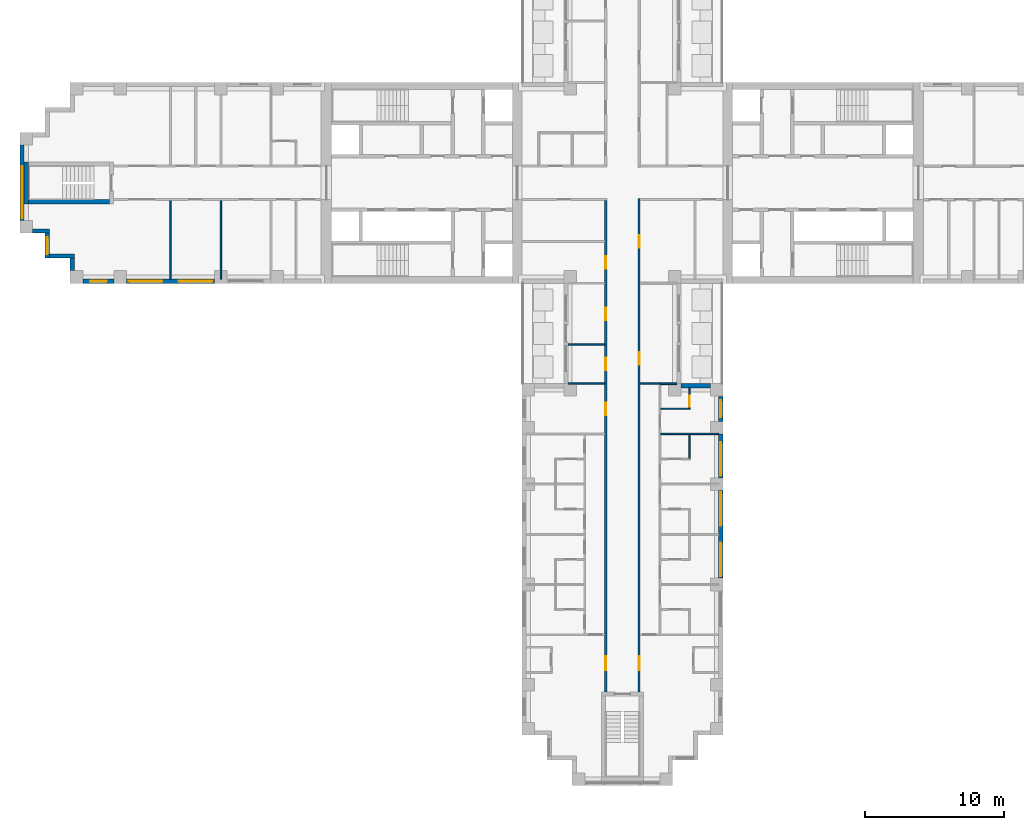
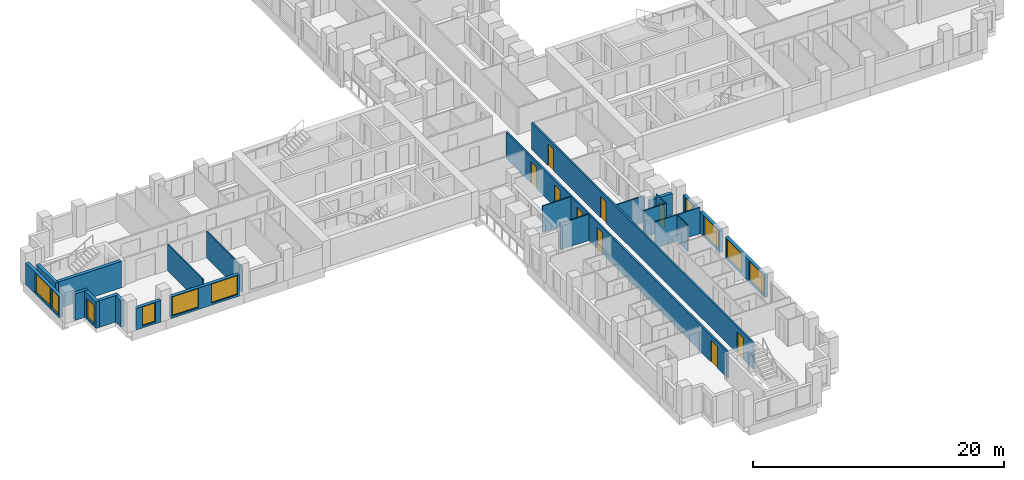
# One storey, part 5 of 16: 25 walls, 10 windows, 9 doors, 19 openings.
"""IFC4 building model written with IfcOpenShell, lengths in metres."""

from ifc_helpers import new_model, si_unit, direction, frame, frame_2d, origin, place, context, subcontext, project, spatial, rectangle, extrude, material, layer, layer_set, type_object, element, fill, save


model = new_model("IFC4")

# Units and contexts
model_context = context("Model", 3, precision=1e-05, world=origin(), true_north=direction((0.0, 1.0)))
body_context = subcontext(model_context, "Body", "Model", "MODEL_VIEW")
ifc_project = project(units=[si_unit("LENGTHUNIT", "METRE"), si_unit("AREAUNIT", "SQUARE_METRE"), si_unit("VOLUMEUNIT", "CUBIC_METRE"), si_unit("PLANEANGLEUNIT", "RADIAN"), si_unit("MASSUNIT", "GRAM", prefix="KILO")], contexts=[model_context])

# Site, building, storey
site_placement = place(None, origin())
site = spatial("IfcSite", under=ifc_project, at=site_placement, CompositionType="ELEMENT")
building_placement = place(site_placement, origin())
building = spatial("IfcBuilding", under=site, at=building_placement, Name="Fustian Cross Tower", CompositionType="ELEMENT")
storey_placement = place(building_placement, frame((0.0, 0.0, 23.699951171875)))
storey = spatial("IfcBuildingStorey", under=building, at=storey_placement, Name="L06", CompositionType="ELEMENT", Elevation=23.699951171875)

# Wall, openings, doors
ifc_material_1 = material(Name="Plasterboard on steel stud", Category="steel")
ifc_layer_1 = layer(ifc_material_1, 0.14990234375)
ifc_layer_set_1 = layer_set([ifc_layer_1], Name="Plasterboard on steel stud")
wall_type_1 = type_object("IfcWallType", Name="COMPARTMENT WALL 150 EI 60", PredefinedType="PARTITIONING", material=ifc_layer_set_1)
wall_1_placement = place(storey_placement, frame((-1.199951171875, -36.5, 0.0), z_axis=(0.0, 0.0, 1.0), x_axis=(0.0, 1.0, 0.0)))
wall_1 = element("IfcWall", 1, at=wall_1_placement, inside=storey, type_object=wall_type_1, Name="Partition 51", PredefinedType="PARTITIONING", context=body_context, shape_type="SweptSolid", body=[
    extrude(rectangle(XDim=35.22509765625, YDim=0.14990234375, at=frame_2d((17.612548828125, 0.0))), origin(), (0.0, 0.0, 1.0), 2.574951171875),
])
opening_1_placement = place(wall_1_placement, frame((30.35009765625, 0.0, 0.0)))
opening_1 = element("IfcOpeningElement", 2, at=opening_1_placement, cuts=wall_1, Name="Opening D05009", PredefinedType="OPENING", context=body_context, shape_type="SweptSolid", body=[
    extrude(rectangle(XDim=0.89990234375, YDim=2.10009765625, at=frame_2d((0.449951171875, 1.050048828125))), frame((0.0, 0.0849609375, 0.0), z_axis=(0.0, -1.0, 0.0), x_axis=(1.0, 0.0, 0.0)), (0.0, 0.0, 1.0), 0.169921875),
])
opening_2_placement = place(wall_1_placement, frame((23.050048828125, 0.0, 0.0)))
opening_2 = element("IfcOpeningElement", 3, at=opening_2_placement, cuts=wall_1, Name="Opening D05064", PredefinedType="OPENING", context=body_context, shape_type="SweptSolid", body=[
    extrude(rectangle(XDim=0.89990234375, YDim=2.10009765625, at=frame_2d((0.449951171875, 1.050048828125))), frame((0.0, 0.0849609375, 0.0), z_axis=(0.0, -1.0, 0.0), x_axis=(1.0, 0.0, 0.0)), (0.0, 0.0, 1.0), 0.169921875),
])
opening_3_placement = place(wall_1_placement, frame((26.64990234375, 0.0, 0.0)))
opening_3 = element("IfcOpeningElement", 4, at=opening_3_placement, cuts=wall_1, Name="Opening D05065", PredefinedType="OPENING", context=body_context, shape_type="SweptSolid", body=[
    extrude(rectangle(XDim=0.89990234375, YDim=2.10009765625, at=frame_2d((0.449951171875, 1.050048828125))), frame((0.0, 0.0849609375, 0.0), z_axis=(0.0, -1.0, 0.0), x_axis=(1.0, 0.0, 0.0)), (0.0, 0.0, 1.0), 0.169921875),
])
opening_4_placement = place(wall_1_placement, frame((19.85009765625, 0.0, 0.0)))
opening_4 = element("IfcOpeningElement", 5, at=opening_4_placement, cuts=wall_1, Name="Opening D05066", PredefinedType="OPENING", context=body_context, shape_type="SweptSolid", body=[
    extrude(rectangle(XDim=0.89990234375, YDim=2.10009765625, at=frame_2d((0.449951171875, 1.050048828125))), frame((0.0, 0.0849609375, 0.0), z_axis=(0.0, -1.0, 0.0), x_axis=(1.0, 0.0, 0.0)), (0.0, 0.0, 1.0), 0.169921875),
])
opening_5_placement = place(wall_1_placement, frame((1.550048828125, 0.0, 0.0)))
opening_5 = element("IfcOpeningElement", 6, at=opening_5_placement, cuts=wall_1, Name="Opening D05068", PredefinedType="OPENING", context=body_context, shape_type="SweptSolid", body=[
    extrude(rectangle(XDim=1.0, YDim=2.10009765625, at=frame_2d((0.5, 1.050048828125))), frame((0.0, 0.0849609375, 0.0), z_axis=(0.0, -1.0, 0.0), x_axis=(1.0, 0.0, 0.0)), (0.0, 0.0, 1.0), 0.169921875),
])
ifc_material_2 = material(Name="Timber fire door set", Category="wood")
door_type_1 = type_object("IfcDoorType", Name="FIRE SWING DOOR 1000 FD30S", OperationType="SINGLE_SWING_LEFT", PredefinedType="DOOR", material=ifc_material_2)
door_1_placement = place(opening_5_placement, origin())
door_1 = element("IfcDoor", 7, at=door_1_placement, inside=storey, type_object=door_type_1, Name="Door D05068", OperationType="SINGLE_SWING_RIGHT", OverallHeight=2.10009765625, OverallWidth=1.0, PredefinedType="DOOR", context=body_context, shape_type="SweptSolid", body=[
    extrude(rectangle(XDim=1.0, YDim=2.10009765625, at=frame_2d((0.5, 1.050048828125))), frame((0.0, 0.02490234375, 0.0), z_axis=(0.0, -1.0, 0.0), x_axis=(1.0, 0.0, 0.0)), (0.0, 0.0, 1.0), 0.050048828125),
])
fill(opening_5, door_1)
ifc_material_3 = material(Name="Timber fire door set", Category="wood")
door_type_2 = type_object("IfcDoorType", Name="FIRE SWING DOOR 900 FD30S", OperationType="SINGLE_SWING_LEFT", PredefinedType="DOOR", material=ifc_material_3)
door_2_placement = place(opening_1_placement, origin())
door_2 = element("IfcDoor", 8, at=door_2_placement, inside=storey, type_object=door_type_2, Name="Door D05009", OperationType="SINGLE_SWING_RIGHT", OverallHeight=2.10009765625, OverallWidth=0.89990234375, PredefinedType="DOOR", context=body_context, shape_type="SweptSolid", body=[
    extrude(rectangle(XDim=0.89990234375, YDim=2.10009765625, at=frame_2d((0.449951171875, 1.050048828125))), frame((0.0, 0.02490234375, 0.0), z_axis=(0.0, -1.0, 0.0), x_axis=(1.0, 0.0, 0.0)), (0.0, 0.0, 1.0), 0.050048828125),
])
fill(opening_1, door_2)
door_3_placement = place(opening_2_placement, origin())
door_3 = element("IfcDoor", 9, at=door_3_placement, inside=storey, type_object=door_type_2, Name="Door D05064", OperationType="SINGLE_SWING_LEFT", OverallHeight=2.10009765625, OverallWidth=0.89990234375, PredefinedType="DOOR", context=body_context, shape_type="SweptSolid", body=[
    extrude(rectangle(XDim=0.89990234375, YDim=2.10009765625, at=frame_2d((0.449951171875, 1.050048828125))), frame((0.0, 0.02490234375, 0.0), z_axis=(0.0, -1.0, 0.0), x_axis=(1.0, 0.0, 0.0)), (0.0, 0.0, 1.0), 0.050048828125),
])
fill(opening_2, door_3)
door_4_placement = place(opening_3_placement, origin())
door_4 = element("IfcDoor", 10, at=door_4_placement, inside=storey, type_object=door_type_2, Name="Door D05065", OperationType="SINGLE_SWING_LEFT", OverallHeight=2.10009765625, OverallWidth=0.89990234375, PredefinedType="DOOR", context=body_context, shape_type="SweptSolid", body=[
    extrude(rectangle(XDim=0.89990234375, YDim=2.10009765625, at=frame_2d((0.449951171875, 1.050048828125))), frame((0.0, 0.02490234375, 0.0), z_axis=(0.0, -1.0, 0.0), x_axis=(1.0, 0.0, 0.0)), (0.0, 0.0, 1.0), 0.050048828125),
])
fill(opening_3, door_4)
door_5_placement = place(opening_4_placement, origin())
door_5 = element("IfcDoor", 11, at=door_5_placement, inside=storey, type_object=door_type_2, Name="Door D05066", OperationType="SINGLE_SWING_LEFT", OverallHeight=2.10009765625, OverallWidth=0.89990234375, PredefinedType="DOOR", context=body_context, shape_type="SweptSolid", body=[
    extrude(rectangle(XDim=0.89990234375, YDim=2.10009765625, at=frame_2d((0.449951171875, 1.050048828125))), frame((0.0, 0.02490234375, 0.0), z_axis=(0.0, -1.0, 0.0), x_axis=(1.0, 0.0, 0.0)), (0.0, 0.0, 1.0), 0.050048828125),
])
fill(opening_4, door_5)

wall_2_placement = place(storey_placement, frame((1.199951171875, -36.5, 0.0), z_axis=(0.0, 0.0, 1.0), x_axis=(0.0, 1.0, 0.0)))
wall_2 = element("IfcWall", 12, at=wall_2_placement, inside=storey, type_object=wall_type_1, Name="Partition 53", PredefinedType="PARTITIONING", context=body_context, shape_type="SweptSolid", body=[
    extrude(rectangle(XDim=35.375, YDim=0.14990234375, at=frame_2d((17.6875, 0.0))), origin(), (0.0, 0.0, 1.0), 2.574951171875),
])
opening_6_placement = place(wall_2_placement, frame((31.85009765625, 0.0, 0.0)))
opening_6 = element("IfcOpeningElement", 13, at=opening_6_placement, cuts=wall_2, Name="Opening D05006", PredefinedType="OPENING", context=body_context, shape_type="SweptSolid", body=[
    extrude(rectangle(XDim=0.89990234375, YDim=2.10009765625, at=frame_2d((0.449951171875, 1.050048828125))), frame((0.0, 0.0849609375, 0.0), z_axis=(0.0, -1.0, 0.0), x_axis=(1.0, 0.0, 0.0)), (0.0, 0.0, 1.0), 0.169921875),
])
opening_7_placement = place(wall_2_placement, frame((23.449951171875, 0.0, 0.0)))
opening_7 = element("IfcOpeningElement", 14, at=opening_7_placement, cuts=wall_2, Name="Opening D05050", PredefinedType="OPENING", context=body_context, shape_type="SweptSolid", body=[
    extrude(rectangle(XDim=0.89990234375, YDim=2.10009765625, at=frame_2d((0.449951171875, 1.050048828125))), frame((0.0, 0.0849609375, 0.0), z_axis=(0.0, -1.0, 0.0), x_axis=(1.0, 0.0, 0.0)), (0.0, 0.0, 1.0), 0.169921875),
])
opening_8_placement = place(wall_2_placement, frame((1.550048828125, 0.0, 0.0)))
opening_8 = element("IfcOpeningElement", 15, at=opening_8_placement, cuts=wall_2, Name="Opening D05052", PredefinedType="OPENING", context=body_context, shape_type="SweptSolid", body=[
    extrude(rectangle(XDim=1.0, YDim=2.10009765625, at=frame_2d((0.5, 1.050048828125))), frame((0.0, 0.0849609375, 0.0), z_axis=(0.0, -1.0, 0.0), x_axis=(1.0, 0.0, 0.0)), (0.0, 0.0, 1.0), 0.169921875),
])
door_6_placement = place(opening_8_placement, frame((1.0, 0.0, 0.0), z_axis=(0.0, 0.0, 1.0), x_axis=(-1.0, 0.0, 0.0)))
door_6 = element("IfcDoor", 16, at=door_6_placement, inside=storey, type_object=door_type_1, Name="Door D05052", OperationType="SINGLE_SWING_LEFT", OverallHeight=2.10009765625, OverallWidth=1.0, PredefinedType="DOOR", context=body_context, shape_type="SweptSolid", body=[
    extrude(rectangle(XDim=1.0, YDim=2.10009765625, at=frame_2d((0.5, 1.050048828125))), frame((0.0, 0.02490234375, 0.0), z_axis=(0.0, -1.0, 0.0), x_axis=(1.0, 0.0, 0.0)), (0.0, 0.0, 1.0), 0.050048828125),
])
fill(opening_8, door_6)
door_7_placement = place(opening_6_placement, frame((0.89990234375, 0.0, 0.0), z_axis=(0.0, 0.0, 1.0), x_axis=(-1.0, 0.0, 0.0)))
door_7 = element("IfcDoor", 17, at=door_7_placement, inside=storey, type_object=door_type_2, Name="Door D05006", OperationType="SINGLE_SWING_RIGHT", OverallHeight=2.10009765625, OverallWidth=0.89990234375, PredefinedType="DOOR", context=body_context, shape_type="SweptSolid", body=[
    extrude(rectangle(XDim=0.89990234375, YDim=2.10009765625, at=frame_2d((0.449951171875, 1.050048828125))), frame((0.0, 0.02490234375, 0.0), z_axis=(0.0, -1.0, 0.0), x_axis=(1.0, 0.0, 0.0)), (0.0, 0.0, 1.0), 0.050048828125),
])
fill(opening_6, door_7)
door_8_placement = place(opening_7_placement, frame((0.89990234375, 0.0, 0.0), z_axis=(0.0, 0.0, 1.0), x_axis=(-1.0, 0.0, 0.0)))
door_8 = element("IfcDoor", 18, at=door_8_placement, inside=storey, type_object=door_type_2, Name="Door D05050", OperationType="SINGLE_SWING_RIGHT", OverallHeight=2.10009765625, OverallWidth=0.89990234375, PredefinedType="DOOR", context=body_context, shape_type="SweptSolid", body=[
    extrude(rectangle(XDim=0.89990234375, YDim=2.10009765625, at=frame_2d((0.449951171875, 1.050048828125))), frame((0.0, 0.02490234375, 0.0), z_axis=(0.0, -1.0, 0.0), x_axis=(1.0, 0.0, 0.0)), (0.0, 0.0, 1.0), 0.050048828125),
])
fill(opening_7, door_8)

# Walls
ifc_material_4 = material(Name="Plasterboard on steel stud", Category="steel")
ifc_layer_2 = layer(ifc_material_4, 0.10009765625)
ifc_layer_set_2 = layer_set([ifc_layer_2], Name="Plasterboard on steel stud")
wall_type_2 = type_object("IfcWallType", Name="PARTITION 100 STUD", PredefinedType="PARTITIONING", material=ifc_layer_set_2)
for number, where, z_axis, x_axis, name in (
    (19, (-32.39990234375, -6.89990234375, 0.0), (0.0, 0.0, 1.0), (0.0, 1.0, 0.0), "Partition 3"),
    (20, (-28.800048828125, -6.89990234375, 0.0), (0.0, 0.0, 1.0), (0.0, 1.0, 0.0), "Partition 6"),
):
    element("IfcWall", number, at=place(storey_placement, frame(where, z_axis=z_axis, x_axis=x_axis)), inside=storey, type_object=wall_type_2, Name=name, PredefinedType="PARTITIONING", context=body_context, shape_type="SweptSolid", body=[
        extrude(rectangle(XDim=5.625, YDim=0.10009765625, at=frame_2d((2.8125, 0.0))), origin(), (0.0, 0.0, 1.0), 2.574951171875),
    ])
for number, where, z_axis, x_axis, name in (
    (21, (-3.89990234375, -14.39990234375, 0.0), (0.0, 0.0, 1.0), (1.0, 0.0, 0.0), "Partition 42"),
    (22, (-3.89990234375, -11.60009765625, 0.0), (0.0, 0.0, 1.0), (1.0, 0.0, 0.0), "Partition 43"),
):
    element("IfcWall", number, at=place(storey_placement, frame(where, z_axis=z_axis, x_axis=x_axis)), inside=storey, type_object=wall_type_2, Name=name, PredefinedType="PARTITIONING", context=body_context, shape_type="SweptSolid", body=[
        extrude(rectangle(XDim=2.625, YDim=0.10009765625, at=frame_2d((1.3125, 0.0))), origin(), (0.0, 0.0, 1.0), 2.574951171875),
    ])
wall_3_placement = place(storey_placement, frame((1.27490234375, -14.39990234375, 0.0), z_axis=(0.0, 0.0, 1.0), x_axis=(1.0, 0.0, 0.0)))
element("IfcWall", 23, at=wall_3_placement, inside=storey, type_object=wall_type_2, Name="Partition 55", PredefinedType="PARTITIONING", context=body_context, shape_type="SweptSolid", body=[
    extrude(rectangle(XDim=1.425048828125, YDim=0.10009765625, at=frame_2d((0.71240234375, 0.0))), origin(), (0.0, 0.0, 1.0), 2.574951171875),
])
wall_4_placement = place(storey_placement, frame((2.75, -18.0, 0.0), z_axis=(0.0, 0.0, 1.0), x_axis=(1.0, 0.0, 0.0)))
element("IfcWall", 24, at=wall_4_placement, inside=storey, type_object=wall_type_2, Name="Partition 72", PredefinedType="PARTITIONING", context=body_context, shape_type="SweptSolid", body=[
    extrude(rectangle(XDim=4.14990234375, YDim=0.10009765625, at=frame_2d((2.074951171875, 0.0))), origin(), (0.0, 0.0, 1.0), 2.574951171875),
])
wall_5_placement = place(storey_placement, frame((2.75, -16.199951171875, 0.0), z_axis=(0.0, 0.0, 1.0), x_axis=(1.0, 0.0, 0.0)))
element("IfcWall", 25, at=wall_5_placement, inside=storey, type_object=wall_type_2, Name="Partition 73", PredefinedType="PARTITIONING", context=body_context, shape_type="SweptSolid", body=[
    extrude(rectangle(XDim=2.10009765625, YDim=0.10009765625, at=frame_2d((1.050048828125, 0.0))), origin(), (0.0, 0.0, 1.0), 2.574951171875),
])
wall_6_placement = place(storey_placement, frame((4.800048828125, -19.75, 0.0), z_axis=(0.0, 0.0, 1.0), x_axis=(0.0, 1.0, 0.0)))
element("IfcWall", 26, at=wall_6_placement, inside=storey, type_object=wall_type_2, Name="Partition 82", PredefinedType="PARTITIONING", context=body_context, shape_type="SweptSolid", body=[
    extrude(rectangle(XDim=1.699951171875, YDim=0.10009765625, at=frame_2d((0.85009765625, 0.0))), origin(), (0.0, 0.0, 1.0), 2.574951171875),
])

# Wall, opening, door
wall_7_placement = place(storey_placement, frame((4.800048828125, -16.14990234375, 0.0), z_axis=(0.0, 0.0, 1.0), x_axis=(0.0, 1.0, 0.0)))
wall_7 = element("IfcWall", 27, at=wall_7_placement, inside=storey, type_object=wall_type_2, Name="Partition 83", PredefinedType="PARTITIONING", context=body_context, shape_type="SweptSolid", body=[
    extrude(rectangle(XDim=1.449951171875, YDim=0.10009765625, at=frame_2d((0.72509765625, 0.0))), origin(), (0.0, 0.0, 1.0), 2.574951171875),
])
opening_9_placement = place(wall_7_placement, frame((0.10009765625, 0.0, 0.0)))
opening_9 = element("IfcOpeningElement", 28, at=opening_9_placement, cuts=wall_7, Name="Opening D05059", PredefinedType="OPENING", context=body_context, shape_type="SweptSolid", body=[
    extrude(rectangle(XDim=0.800048828125, YDim=2.10009765625, at=frame_2d((0.39990234375, 1.050048828125))), frame((0.0, 0.06005859375, 0.0), z_axis=(0.0, -1.0, 0.0), x_axis=(1.0, 0.0, 0.0)), (0.0, 0.0, 1.0), 0.1201171875),
])
ifc_material_5 = material(Name="Painted timber", Category="wood")
door_type_3 = type_object("IfcDoorType", Name="SWING DOOR 800", OperationType="SINGLE_SWING_LEFT", PredefinedType="DOOR", material=ifc_material_5)
door_9_placement = place(opening_9_placement, frame((0.800048828125, 0.0, 0.0), z_axis=(0.0, 0.0, 1.0), x_axis=(-1.0, 0.0, 0.0)))
door_9 = element("IfcDoor", 29, at=door_9_placement, inside=storey, type_object=door_type_3, Name="Door D05059", OperationType="SINGLE_SWING_LEFT", OverallHeight=2.10009765625, OverallWidth=0.800048828125, PredefinedType="DOOR", context=body_context, shape_type="SweptSolid", body=[
    extrude(rectangle(XDim=0.800048828125, YDim=2.10009765625, at=frame_2d((0.39990234375, 1.050048828125))), frame((0.0, 0.02490234375, 0.0), z_axis=(0.0, -1.0, 0.0), x_axis=(1.0, 0.0, 0.0)), (0.0, 0.0, 1.0), 0.050048828125),
])
fill(opening_9, door_9)

# Walls
ifc_material_6 = material(Name="Concrete C50/60", Category="concrete")
ifc_layer_3 = layer(ifc_material_6, 0.300048828125)
ifc_layer_set_3 = layer_set([ifc_layer_3], Name="Concrete C50/60")
wall_type_3 = type_object("IfcWallType", Name="STAIR ENCLOSURE WALL 300 C50/60", PredefinedType="SHEAR", material=ifc_layer_set_3)
wall_8_placement = place(storey_placement, frame((-42.75, -1.5, 0.0), z_axis=(0.0, 0.0, 1.0), x_axis=(0.0, 1.0, 0.0)))
element("IfcWall", 30, at=wall_8_placement, inside=storey, type_object=wall_type_3, Name="Stair enclosure wall", PredefinedType="SHEAR", context=body_context, shape_type="SweptSolid", body=[
    extrude(rectangle(XDim=3.0, YDim=0.300048828125, at=frame_2d((1.5, 0.0))), origin(), (0.0, 0.0, 1.0), 2.574951171875),
])
wall_9_placement = place(storey_placement, frame((-36.800048828125, -1.35009765625, 0.0), z_axis=(0.0, 0.0, 1.0), x_axis=(-1.0, 0.0, 0.0)))
element("IfcWall", 31, at=wall_9_placement, inside=storey, type_object=wall_type_3, Name="Stair enclosure wall", PredefinedType="SHEAR", context=body_context, shape_type="SweptSolid", body=[
    extrude(rectangle(XDim=5.800048828125, YDim=0.300048828125, at=frame_2d((2.89990234375, 0.0))), origin(), (0.0, 0.0, 1.0), 2.574951171875),
])
ifc_material_7 = material(Name="Plasterboard on steel stud", Category="steel")
ifc_layer_4 = layer(ifc_material_7, 0.125)
ifc_layer_set_4 = layer_set([ifc_layer_4], Name="Plasterboard on steel stud")
wall_type_4 = type_object("IfcWallType", Name="WET WALL 125 STUD", PredefinedType="PARTITIONING", material=ifc_layer_set_4)
wall_10_placement = place(storey_placement, frame((2.699951171875, -14.39990234375, 0.0), z_axis=(0.0, 0.0, 1.0), x_axis=(1.0, 0.0, 0.0)))
element("IfcWall", 32, at=wall_10_placement, inside=storey, type_object=wall_type_4, Name="Partition 74", PredefinedType="PARTITIONING", context=body_context, shape_type="SweptSolid", body=[
    extrude(rectangle(XDim=1.199951171875, YDim=0.125, at=frame_2d((0.60009765625, 0.0))), origin(), (0.0, 0.0, 1.0), 2.574951171875),
])

# Wall, openings, windows
ifc_material_8 = material(Name="Dark aluminium cladding on insulated backing wall", Category="aluminium")
ifc_layer_5 = layer(ifc_material_8, 0.300048828125)
ifc_layer_set_5 = layer_set([ifc_layer_5], Name="Dark aluminium cladding on insulated backing wall")
wall_type_5 = type_object("IfcWallType", Name="XW1 EXTERNAL WALL 300", PredefinedType="SOLIDWALL", material=ifc_layer_set_5)
wall_11_placement = place(storey_placement, frame((-43.050048828125, 2.699951171875, 0.0), z_axis=(0.0, 0.0, 1.0), x_axis=(0.0, -1.0, 0.0)))
wall_11 = element("IfcWall", 33, at=wall_11_placement, inside=storey, type_object=wall_type_5, Name="External wall", PredefinedType="SOLIDWALL", context=body_context, shape_type="SweptSolid", body=[
    extrude(rectangle(XDim=5.39990234375, YDim=0.300048828125, at=frame_2d((2.699951171875, 0.0))), origin(), (0.0, 0.0, 1.0), 2.10009765625),
])
opening_10_placement = place(wall_11_placement, frame((1.5, 0.0, 0.199951171875)))
opening_10 = element("IfcOpeningElement", 34, at=opening_10_placement, cuts=wall_11, Name="Opening WN1", PredefinedType="OPENING", context=body_context, shape_type="SweptSolid", body=[
    extrude(rectangle(XDim=2.39990234375, YDim=1.85009765625, at=frame_2d((1.199951171875, 0.925048828125))), frame((0.0, 0.159912109375, 0.0), z_axis=(0.0, -1.0, 0.0), x_axis=(1.0, 0.0, 0.0)), (0.0, 0.0, 1.0), 0.320068359375),
])
opening_11_placement = place(wall_11_placement, frame((4.050048828125, 0.0, 0.199951171875)))
opening_11 = element("IfcOpeningElement", 35, at=opening_11_placement, cuts=wall_11, Name="Opening WN3", PredefinedType="OPENING", context=body_context, shape_type="SweptSolid", body=[
    extrude(rectangle(XDim=1.199951171875, YDim=1.85009765625, at=frame_2d((0.60009765625, 0.925048828125))), frame((0.0, 0.159912109375, 0.0), z_axis=(0.0, -1.0, 0.0), x_axis=(1.0, 0.0, 0.0)), (0.0, 0.0, 1.0), 0.320068359375),
])
ifc_material_9 = material(Name="Dark anodised aluminium and double glazing", Category="aluminium")
window_type_1 = type_object("IfcWindowType", Name="WN1 WINDOW 2400X1850", PartitioningType="SINGLE_PANEL", PredefinedType="WINDOW", material=ifc_material_9)
window_1_placement = place(opening_10_placement, origin())
window_1 = element("IfcWindow", 36, at=window_1_placement, inside=storey, type_object=window_type_1, Name="Window", OverallHeight=1.85009765625, OverallWidth=2.39990234375, PartitioningType="SINGLE_PANEL", PredefinedType="WINDOW", context=body_context, shape_type="SweptSolid", body=[
    extrude(rectangle(XDim=2.39990234375, YDim=1.85009765625, at=frame_2d((1.199951171875, 0.925048828125))), frame((0.0, 0.030029296875, 0.0), z_axis=(0.0, -1.0, 0.0), x_axis=(1.0, 0.0, 0.0)), (0.0, 0.0, 1.0), 0.06005859375),
])
fill(opening_10, window_1)
ifc_material_10 = material(Name="Dark anodised aluminium and double glazing", Category="aluminium")
window_type_2 = type_object("IfcWindowType", Name="WN3 WINDOW 1200X1850", PartitioningType="SINGLE_PANEL", PredefinedType="WINDOW", material=ifc_material_10)
window_2_placement = place(opening_11_placement, origin())
window_2 = element("IfcWindow", 37, at=window_2_placement, inside=storey, type_object=window_type_2, Name="Window", OverallHeight=1.85009765625, OverallWidth=1.199951171875, PartitioningType="SINGLE_PANEL", PredefinedType="WINDOW", context=body_context, shape_type="SweptSolid", body=[
    extrude(rectangle(XDim=1.199951171875, YDim=1.85009765625, at=frame_2d((0.60009765625, 0.925048828125))), frame((0.0, 0.030029296875, 0.0), z_axis=(0.0, -1.0, 0.0), x_axis=(1.0, 0.0, 0.0)), (0.0, 0.0, 1.0), 0.06005859375),
])
fill(opening_11, window_2)

# Wall
wall_12_placement = place(storey_placement, frame((-42.300048828125, -3.449951171875, 0.0), z_axis=(0.0, 0.0, 1.0), x_axis=(1.0, 0.0, 0.0)))
element("IfcWall", 38, at=wall_12_placement, inside=storey, type_object=wall_type_5, Name="External wall", PredefinedType="SOLIDWALL", context=body_context, shape_type="SweptSolid", body=[
    extrude(rectangle(XDim=1.199951171875, YDim=0.300048828125, at=frame_2d((0.60009765625, 0.0))), origin(), (0.0, 0.0, 1.0), 2.574951171875),
])

# Wall, opening, window
wall_13_placement = place(storey_placement, frame((-41.25, -3.60009765625, 0.0), z_axis=(0.0, 0.0, 1.0), x_axis=(0.0, -1.0, 0.0)))
wall_13 = element("IfcWall", 39, at=wall_13_placement, inside=storey, type_object=wall_type_5, Name="External wall", PredefinedType="SOLIDWALL", context=body_context, shape_type="SweptSolid", body=[
    extrude(rectangle(XDim=1.7998046875, YDim=0.300048828125, at=frame_2d((0.89990234375, 0.0))), origin(), (0.0, 0.0, 1.0), 2.574951171875),
])
opening_12_placement = place(wall_13_placement, frame((0.300048828125, 0.0, 0.199951171875)))
opening_12 = element("IfcOpeningElement", 40, at=opening_12_placement, cuts=wall_13, Name="Opening WN3", PredefinedType="OPENING", context=body_context, shape_type="SweptSolid", body=[
    extrude(rectangle(XDim=1.199951171875, YDim=1.85009765625, at=frame_2d((0.60009765625, 0.925048828125))), frame((0.0, 0.159912109375, 0.0), z_axis=(0.0, -1.0, 0.0), x_axis=(1.0, 0.0, 0.0)), (0.0, 0.0, 1.0), 0.320068359375),
])
window_3_placement = place(opening_12_placement, origin())
window_3 = element("IfcWindow", 41, at=window_3_placement, inside=storey, type_object=window_type_2, Name="Window", OverallHeight=1.85009765625, OverallWidth=1.199951171875, PartitioningType="SINGLE_PANEL", PredefinedType="WINDOW", context=body_context, shape_type="SweptSolid", body=[
    extrude(rectangle(XDim=1.199951171875, YDim=1.85009765625, at=frame_2d((0.60009765625, 0.925048828125))), frame((0.0, 0.030029296875, 0.0), z_axis=(0.0, -1.0, 0.0), x_axis=(1.0, 0.0, 0.0)), (0.0, 0.0, 1.0), 0.06005859375),
])
fill(opening_12, window_3)

# Walls
wall_14_placement = place(storey_placement, frame((-41.10009765625, -5.25, 0.0), z_axis=(0.0, 0.0, 1.0), x_axis=(1.0, 0.0, 0.0)))
element("IfcWall", 42, at=wall_14_placement, inside=storey, type_object=wall_type_5, Name="External wall", PredefinedType="SOLIDWALL", context=body_context, shape_type="SweptSolid", body=[
    extrude(rectangle(XDim=1.800048828125, YDim=0.300048828125, at=frame_2d((0.89990234375, 0.0))), origin(), (0.0, 0.0, 1.0), 2.574951171875),
])
wall_15_placement = place(storey_placement, frame((-39.449951171875, -5.39990234375, 0.0), z_axis=(0.0, 0.0, 1.0), x_axis=(0.0, -1.0, 0.0)))
element("IfcWall", 43, at=wall_15_placement, inside=storey, type_object=wall_type_5, Name="External wall", PredefinedType="SOLIDWALL", context=body_context, shape_type="SweptSolid", body=[
    extrude(rectangle(XDim=0.900146484375, YDim=0.300048828125, at=frame_2d((0.4501953125, 0.0))), origin(), (0.0, 0.0, 1.0), 2.574951171875),
])

# Wall, opening, window
wall_16_placement = place(storey_placement, frame((-38.699951171875, -7.050048828125, 0.0), z_axis=(0.0, 0.0, 1.0), x_axis=(1.0, 0.0, 0.0)))
wall_16 = element("IfcWall", 44, at=wall_16_placement, inside=storey, type_object=wall_type_5, Name="External wall", PredefinedType="SOLIDWALL", context=body_context, shape_type="SweptSolid", body=[
    extrude(rectangle(XDim=2.25, YDim=0.300048828125, at=frame_2d((1.125, 0.0))), origin(), (0.0, 0.0, 1.0), 2.10009765625),
])
opening_13_placement = place(wall_16_placement, frame((0.52490234375, 0.0, 0.199951171875)))
opening_13 = element("IfcOpeningElement", 45, at=opening_13_placement, cuts=wall_16, Name="Opening WN3", PredefinedType="OPENING", context=body_context, shape_type="SweptSolid", body=[
    extrude(rectangle(XDim=1.199951171875, YDim=1.85009765625, at=frame_2d((0.60009765625, 0.925048828125))), frame((0.0, 0.159912109375, 0.0), z_axis=(0.0, -1.0, 0.0), x_axis=(1.0, 0.0, 0.0)), (0.0, 0.0, 1.0), 0.320068359375),
])
window_4_placement = place(opening_13_placement, origin())
window_4 = element("IfcWindow", 46, at=window_4_placement, inside=storey, type_object=window_type_2, Name="Window", OverallHeight=1.85009765625, OverallWidth=1.199951171875, PartitioningType="SINGLE_PANEL", PredefinedType="WINDOW", context=body_context, shape_type="SweptSolid", body=[
    extrude(rectangle(XDim=1.199951171875, YDim=1.85009765625, at=frame_2d((0.60009765625, 0.925048828125))), frame((0.0, 0.030029296875, 0.0), z_axis=(0.0, -1.0, 0.0), x_axis=(1.0, 0.0, 0.0)), (0.0, 0.0, 1.0), 0.06005859375),
])
fill(opening_13, window_4)

# Wall, openings, windows
wall_17_placement = place(storey_placement, frame((-35.550048828125, -7.050048828125, 0.0), z_axis=(0.0, 0.0, 1.0), x_axis=(1.0, 0.0, 0.0)))
wall_17 = element("IfcWall", 47, at=wall_17_placement, inside=storey, type_object=wall_type_5, Name="External wall", PredefinedType="SOLIDWALL", context=body_context, shape_type="SweptSolid", body=[
    extrude(rectangle(XDim=6.300048828125, YDim=0.300048828125, at=frame_2d((3.14990234375, 0.0))), origin(), (0.0, 0.0, 1.0), 2.10009765625),
])
opening_14_placement = place(wall_17_placement, frame((0.14990234375, 0.0, 0.199951171875)))
opening_14 = element("IfcOpeningElement", 48, at=opening_14_placement, cuts=wall_17, Name="Opening WN1", PredefinedType="OPENING", context=body_context, shape_type="SweptSolid", body=[
    extrude(rectangle(XDim=2.39990234375, YDim=1.85009765625, at=frame_2d((1.199951171875, 0.925048828125))), frame((0.0, 0.159912109375, 0.0), z_axis=(0.0, -1.0, 0.0), x_axis=(1.0, 0.0, 0.0)), (0.0, 0.0, 1.0), 0.320068359375),
])
opening_15_placement = place(wall_17_placement, frame((3.75, 0.0, 0.199951171875)))
opening_15 = element("IfcOpeningElement", 49, at=opening_15_placement, cuts=wall_17, Name="Opening WN1", PredefinedType="OPENING", context=body_context, shape_type="SweptSolid", body=[
    extrude(rectangle(XDim=2.39990234375, YDim=1.85009765625, at=frame_2d((1.199951171875, 0.925048828125))), frame((0.0, 0.159912109375, 0.0), z_axis=(0.0, -1.0, 0.0), x_axis=(1.0, 0.0, 0.0)), (0.0, 0.0, 1.0), 0.320068359375),
])
window_5_placement = place(opening_14_placement, origin())
window_5 = element("IfcWindow", 50, at=window_5_placement, inside=storey, type_object=window_type_1, Name="Window", OverallHeight=1.85009765625, OverallWidth=2.39990234375, PartitioningType="SINGLE_PANEL", PredefinedType="WINDOW", context=body_context, shape_type="SweptSolid", body=[
    extrude(rectangle(XDim=2.39990234375, YDim=1.85009765625, at=frame_2d((1.199951171875, 0.925048828125))), frame((0.0, 0.030029296875, 0.0), z_axis=(0.0, -1.0, 0.0), x_axis=(1.0, 0.0, 0.0)), (0.0, 0.0, 1.0), 0.06005859375),
])
fill(opening_14, window_5)
window_6_placement = place(opening_15_placement, origin())
window_6 = element("IfcWindow", 51, at=window_6_placement, inside=storey, type_object=window_type_1, Name="Window", OverallHeight=1.85009765625, OverallWidth=2.39990234375, PartitioningType="SINGLE_PANEL", PredefinedType="WINDOW", context=body_context, shape_type="SweptSolid", body=[
    extrude(rectangle(XDim=2.39990234375, YDim=1.85009765625, at=frame_2d((1.199951171875, 0.925048828125))), frame((0.0, 0.030029296875, 0.0), z_axis=(0.0, -1.0, 0.0), x_axis=(1.0, 0.0, 0.0)), (0.0, 0.0, 1.0), 0.06005859375),
])
fill(opening_15, window_6)

wall_18_placement = place(storey_placement, frame((7.050048828125, -28.35009765625, 0.0), z_axis=(0.0, 0.0, 1.0), x_axis=(0.0, 1.0, 0.0)))
wall_18 = element("IfcWall", 52, at=wall_18_placement, inside=storey, type_object=wall_type_5, Name="External wall", PredefinedType="SOLIDWALL", context=body_context, shape_type="SweptSolid", body=[
    extrude(rectangle(XDim=6.300048828125, YDim=0.300048828125, at=frame_2d((3.14990234375, 0.0))), origin(), (0.0, 0.0, 1.0), 2.10009765625),
])
opening_16_placement = place(wall_18_placement, frame((0.14990234375, 0.0, 0.199951171875)))
opening_16 = element("IfcOpeningElement", 53, at=opening_16_placement, cuts=wall_18, Name="Opening WN1", PredefinedType="OPENING", context=body_context, shape_type="SweptSolid", body=[
    extrude(rectangle(XDim=2.39990234375, YDim=1.85009765625, at=frame_2d((1.199951171875, 0.925048828125))), frame((0.0, 0.159912109375, 0.0), z_axis=(0.0, -1.0, 0.0), x_axis=(1.0, 0.0, 0.0)), (0.0, 0.0, 1.0), 0.320068359375),
])
opening_17_placement = place(wall_18_placement, frame((3.75, 0.0, 0.199951171875)))
opening_17 = element("IfcOpeningElement", 54, at=opening_17_placement, cuts=wall_18, Name="Opening WN1", PredefinedType="OPENING", context=body_context, shape_type="SweptSolid", body=[
    extrude(rectangle(XDim=2.39990234375, YDim=1.85009765625, at=frame_2d((1.199951171875, 0.925048828125))), frame((0.0, 0.159912109375, 0.0), z_axis=(0.0, -1.0, 0.0), x_axis=(1.0, 0.0, 0.0)), (0.0, 0.0, 1.0), 0.320068359375),
])
window_7_placement = place(opening_16_placement, origin())
window_7 = element("IfcWindow", 55, at=window_7_placement, inside=storey, type_object=window_type_1, Name="Window", OverallHeight=1.85009765625, OverallWidth=2.39990234375, PartitioningType="SINGLE_PANEL", PredefinedType="WINDOW", context=body_context, shape_type="SweptSolid", body=[
    extrude(rectangle(XDim=2.39990234375, YDim=1.85009765625, at=frame_2d((1.199951171875, 0.925048828125))), frame((0.0, 0.030029296875, 0.0), z_axis=(0.0, -1.0, 0.0), x_axis=(1.0, 0.0, 0.0)), (0.0, 0.0, 1.0), 0.06005859375),
])
fill(opening_16, window_7)
window_8_placement = place(opening_17_placement, origin())
window_8 = element("IfcWindow", 56, at=window_8_placement, inside=storey, type_object=window_type_1, Name="Window", OverallHeight=1.85009765625, OverallWidth=2.39990234375, PartitioningType="SINGLE_PANEL", PredefinedType="WINDOW", context=body_context, shape_type="SweptSolid", body=[
    extrude(rectangle(XDim=2.39990234375, YDim=1.85009765625, at=frame_2d((1.199951171875, 0.925048828125))), frame((0.0, 0.030029296875, 0.0), z_axis=(0.0, -1.0, 0.0), x_axis=(1.0, 0.0, 0.0)), (0.0, 0.0, 1.0), 0.06005859375),
])
fill(opening_17, window_8)

# Wall, opening, window
wall_19_placement = place(storey_placement, frame((7.050048828125, -21.14990234375, 0.0), z_axis=(0.0, 0.0, 1.0), x_axis=(0.0, 1.0, 0.0)))
wall_19 = element("IfcWall", 57, at=wall_19_placement, inside=storey, type_object=wall_type_5, Name="External wall", PredefinedType="SOLIDWALL", context=body_context, shape_type="SweptSolid", body=[
    extrude(rectangle(XDim=3.14990234375, YDim=0.300048828125, at=frame_2d((1.574951171875, 0.0))), origin(), (0.0, 0.0, 1.0), 2.10009765625),
])
opening_18_placement = place(wall_19_placement, frame((0.14990234375, 0.0, 0.199951171875)))
opening_18 = element("IfcOpeningElement", 58, at=opening_18_placement, cuts=wall_19, Name="Opening WN1", PredefinedType="OPENING", context=body_context, shape_type="SweptSolid", body=[
    extrude(rectangle(XDim=2.39990234375, YDim=1.85009765625, at=frame_2d((1.199951171875, 0.925048828125))), frame((0.0, 0.159912109375, 0.0), z_axis=(0.0, -1.0, 0.0), x_axis=(1.0, 0.0, 0.0)), (0.0, 0.0, 1.0), 0.320068359375),
])
window_9_placement = place(opening_18_placement, origin())
window_9 = element("IfcWindow", 59, at=window_9_placement, inside=storey, type_object=window_type_1, Name="Window", OverallHeight=1.85009765625, OverallWidth=2.39990234375, PartitioningType="SINGLE_PANEL", PredefinedType="WINDOW", context=body_context, shape_type="SweptSolid", body=[
    extrude(rectangle(XDim=2.39990234375, YDim=1.85009765625, at=frame_2d((1.199951171875, 0.925048828125))), frame((0.0, 0.030029296875, 0.0), z_axis=(0.0, -1.0, 0.0), x_axis=(1.0, 0.0, 0.0)), (0.0, 0.0, 1.0), 0.06005859375),
])
fill(opening_18, window_9)

wall_20_placement = place(storey_placement, frame((7.050048828125, -17.10009765625, 0.0), z_axis=(0.0, 0.0, 1.0), x_axis=(0.0, 1.0, 0.0)))
wall_20 = element("IfcWall", 60, at=wall_20_placement, inside=storey, type_object=wall_type_5, Name="External wall", PredefinedType="SOLIDWALL", context=body_context, shape_type="SweptSolid", body=[
    extrude(rectangle(XDim=1.800048828125, YDim=0.300048828125, at=frame_2d((0.89990234375, 0.0))), origin(), (0.0, 0.0, 1.0), 2.10009765625),
])
opening_19_placement = place(wall_20_placement, frame((0.300048828125, 0.0, 0.199951171875)))
opening_19 = element("IfcOpeningElement", 61, at=opening_19_placement, cuts=wall_20, Name="Opening WN3", PredefinedType="OPENING", context=body_context, shape_type="SweptSolid", body=[
    extrude(rectangle(XDim=1.199951171875, YDim=1.85009765625, at=frame_2d((0.60009765625, 0.925048828125))), frame((0.0, 0.159912109375, 0.0), z_axis=(0.0, -1.0, 0.0), x_axis=(1.0, 0.0, 0.0)), (0.0, 0.0, 1.0), 0.320068359375),
])
window_10_placement = place(opening_19_placement, origin())
window_10 = element("IfcWindow", 62, at=window_10_placement, inside=storey, type_object=window_type_2, Name="Window", OverallHeight=1.85009765625, OverallWidth=1.199951171875, PartitioningType="SINGLE_PANEL", PredefinedType="WINDOW", context=body_context, shape_type="SweptSolid", body=[
    extrude(rectangle(XDim=1.199951171875, YDim=1.85009765625, at=frame_2d((0.60009765625, 0.925048828125))), frame((0.0, 0.030029296875, 0.0), z_axis=(0.0, -1.0, 0.0), x_axis=(1.0, 0.0, 0.0)), (0.0, 0.0, 1.0), 0.06005859375),
])
fill(opening_19, window_10)

# Wall
wall_21_placement = place(storey_placement, frame((6.300048828125, -14.550048828125, 0.0), z_axis=(0.0, 0.0, 1.0), x_axis=(-1.0, 0.0, 0.0)))
element("IfcWall", 63, at=wall_21_placement, inside=storey, type_object=wall_type_5, Name="External wall", PredefinedType="SOLIDWALL", context=body_context, shape_type="SweptSolid", body=[
    extrude(rectangle(XDim=2.10009765625, YDim=0.300048828125, at=frame_2d((1.050048828125, 0.0))), origin(), (0.0, 0.0, 1.0), 2.10009765625),
])

save(model, "model.ifc")
